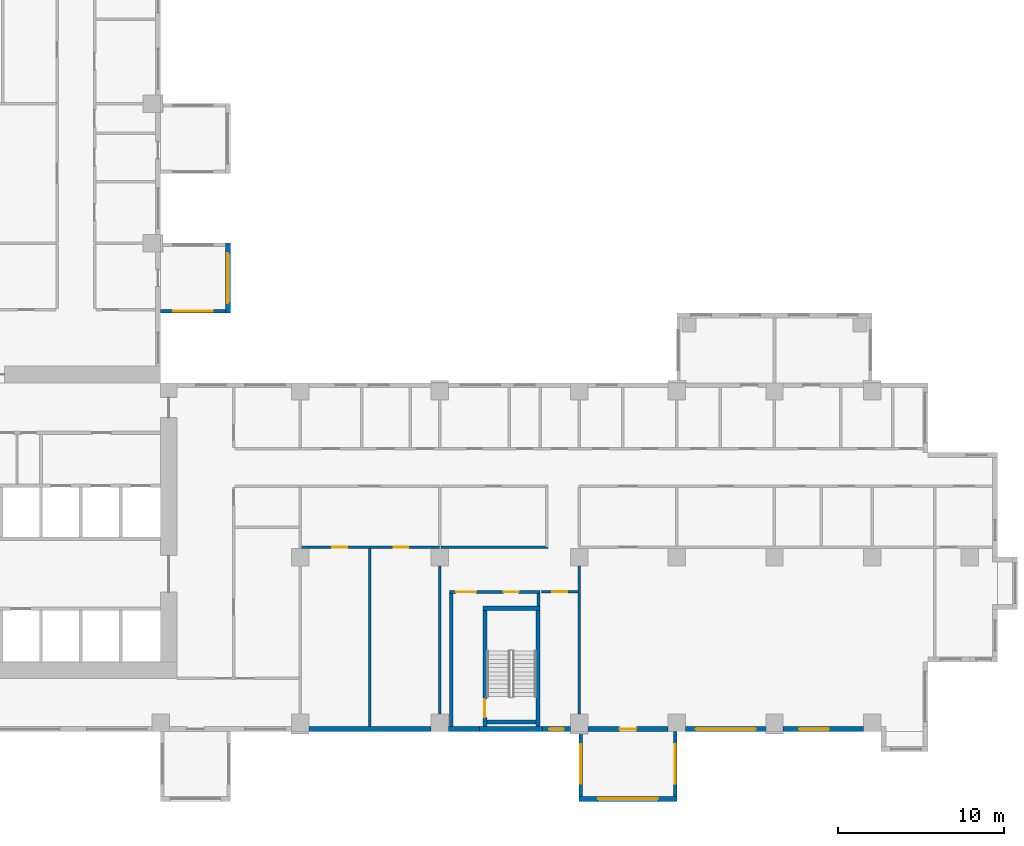
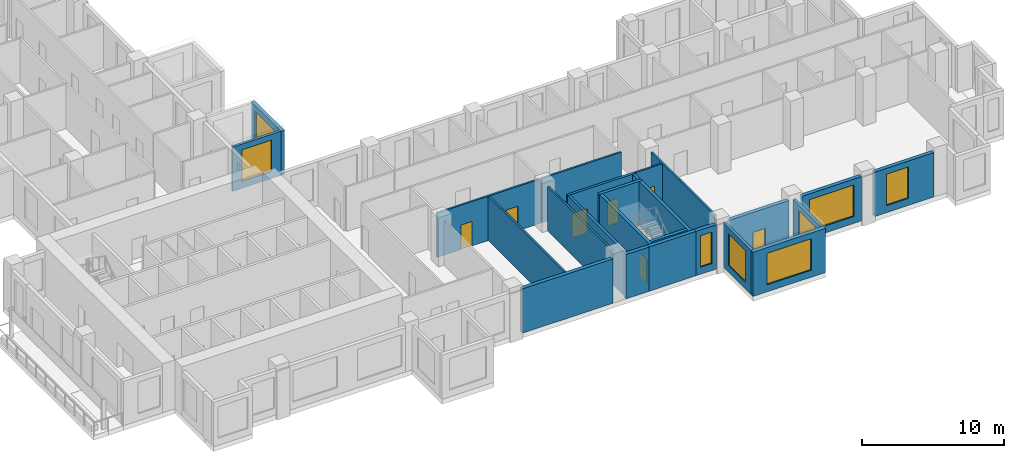
# One storey, part 4 of 14: 25 walls, 8 windows, 7 doors, 15 openings.
"""IFC4 building model written with IfcOpenShell, lengths in metres."""

from ifc_helpers import new_model, si_unit, direction, frame, frame_2d, origin, place, context, subcontext, project, spatial, rectangle, extrude, source, transform, mapped, material, layer, layer_set, type_object, element, fill, save


model = new_model("IFC4")

# Units and contexts
model_context = context("Model", 3, precision=1e-05, world=origin(), true_north=direction((0.0, 1.0)))
body_context = subcontext(model_context, "Body", "Model", "MODEL_VIEW")
ifc_project = project(units=[si_unit("LENGTHUNIT", "METRE"), si_unit("AREAUNIT", "SQUARE_METRE"), si_unit("VOLUMEUNIT", "CUBIC_METRE"), si_unit("PLANEANGLEUNIT", "RADIAN"), si_unit("MASSUNIT", "GRAM", prefix="KILO")], contexts=[model_context])

# Site, building, storey
site_placement = place(None, origin())
site = spatial("IfcSite", under=ifc_project, at=site_placement, CompositionType="ELEMENT")
building_placement = place(site_placement, origin())
building = spatial("IfcBuilding", under=site, at=building_placement, Name="Aurelian Terraces", CompositionType="ELEMENT")
storey_placement = place(building_placement, frame((0.0, 0.0, 111.9)))
storey = spatial("IfcBuildingStorey", under=building, at=storey_placement, Name="L24", CompositionType="ELEMENT", Elevation=111.9)

# Wall
ifc_material_1 = material(Name="Concrete fc' 40 MPa", Category="concrete")
ifc_layer_1 = layer(ifc_material_1, 0.3)
ifc_layer_set_1 = layer_set([ifc_layer_1], Name="STAIR BAY WALL 300")
wall_type_1 = type_object("IfcWallType", Name="STAIR BAY WALL 300", PredefinedType="SOLIDWALL", material=ifc_layer_set_1)
shared_shape_1 = source(origin(), body_context, "Body", "SweptSolid", [
    extrude(rectangle(XDim=3.8, YDim=0.3, at=frame_2d((1.9, 0.0))), origin(), (0.0, 0.0, 1.0), 3.8),
])
wall_1_placement = place(storey_placement, frame((40.2, 0.15, 0.0), z_axis=(0.0, 0.0, 1.0), x_axis=(1.0, 0.0, 0.0)))
element("IfcWall", 1, at=wall_1_placement, inside=storey, type_object=wall_type_1, Name="Stair bay wall L24 F01.6", PredefinedType="SOLIDWALL", context=body_context, shape_type="MappedRepresentation", body=[
    mapped(shared_shape_1, transform((0.0, 0.0, 0.0), scale=1.0)),
])

# Wall, opening, window
ifc_layer_2 = layer(ifc_material_1, 0.2)
ifc_layer_set_2 = layer_set([ifc_layer_2], Name="BOX BEARING WALL 200")
wall_type_2 = type_object("IfcWallType", Name="BOX BEARING WALL 200", PredefinedType="SOLIDWALL", material=ifc_layer_set_2)
shared_shape_2 = source(origin(), body_context, "Body", "SweptSolid", [
    extrude(rectangle(XDim=3.9, YDim=0.2, at=frame_2d((1.95, 0.0))), origin(), (0.0, 0.0, 1.0), 3.8),
])
wall_2_placement = place(storey_placement, frame((46.3, 0.0, 0.0), z_axis=(0.0, 0.0, 1.0), x_axis=(0.0, -1.0, 0.0)))
wall_2 = element("IfcWall", 2, at=wall_2_placement, inside=storey, type_object=wall_type_2, Name="Box return L24 J31.1", PredefinedType="SOLIDWALL", context=body_context, shape_type="MappedRepresentation", body=[
    mapped(shared_shape_2, transform((0.0, 0.0, 0.0), scale=1.0)),
])
shared_shape_3 = source(origin(), body_context, "Body", "SweptSolid", [
    extrude(rectangle(XDim=2.4, YDim=2.7, at=frame_2d((1.2, 1.35))), frame((0.0, 0.11, 0.0), z_axis=(0.0, -1.0, 0.0), x_axis=(1.0, 0.0, 0.0)), (0.0, 0.0, 1.0), 0.22),
])
opening_1_placement = place(wall_2_placement, frame((0.75, 0.0, 0.6)))
opening_1 = element("IfcOpeningElement", 3, at=opening_1_placement, cuts=wall_2, Name="Opening W2427", PredefinedType="OPENING", context=body_context, shape_type="MappedRepresentation", body=[
    mapped(shared_shape_3, transform((0.0, 0.0, 0.0), scale=1.0)),
])
ifc_material_2 = material(Name="Clear glazing", Category="glass")
window_type_1 = type_object("IfcWindowType", Name="W-2400x2700", PartitioningType="SINGLE_PANEL", PredefinedType="WINDOW", material=ifc_material_2)
shared_shape_4 = source(origin(), body_context, "Body", "SweptSolid", [
    extrude(rectangle(XDim=2.4, YDim=2.7, at=frame_2d((1.2, 1.35))), frame((0.0, 0.03, 0.0), z_axis=(0.0, -1.0, 0.0), x_axis=(1.0, 0.0, 0.0)), (0.0, 0.0, 1.0), 0.06),
])
window_1_placement = place(opening_1_placement, origin())
window_1 = element("IfcWindow", 4, at=window_1_placement, inside=storey, type_object=window_type_1, Name="Window L24 J31-S1", OverallHeight=2.7, OverallWidth=2.4, PartitioningType="SINGLE_PANEL", PredefinedType="WINDOW", context=body_context, shape_type="MappedRepresentation", body=[
    mapped(shared_shape_4, transform((0.0, 0.0, 0.0), scale=1.0)),
])
fill(opening_1, window_1)

wall_3_placement = place(storey_placement, frame((51.98, 0.0, 0.0), z_axis=(0.0, 0.0, 1.0), x_axis=(0.0, -1.0, 0.0)))
wall_3 = element("IfcWall", 5, at=wall_3_placement, inside=storey, type_object=wall_type_2, Name="Box return L24 J31.2", PredefinedType="SOLIDWALL", context=body_context, shape_type="MappedRepresentation", body=[
    mapped(shared_shape_2, transform((0.0, 0.0, 0.0), scale=1.0)),
])
opening_2_placement = place(wall_3_placement, frame((0.75, 0.0, 0.6)))
opening_2 = element("IfcOpeningElement", 6, at=opening_2_placement, cuts=wall_3, Name="Opening W2427", PredefinedType="OPENING", context=body_context, shape_type="MappedRepresentation", body=[
    mapped(shared_shape_3, transform((0.0, 0.0, 0.0), scale=1.0)),
])
window_2_placement = place(opening_2_placement, origin())
window_2 = element("IfcWindow", 7, at=window_2_placement, inside=storey, type_object=window_type_1, Name="Window L24 J31-S2", OverallHeight=2.7, OverallWidth=2.4, PartitioningType="SINGLE_PANEL", PredefinedType="WINDOW", context=body_context, shape_type="MappedRepresentation", body=[
    mapped(shared_shape_4, transform((0.0, 0.0, 0.0), scale=1.0)),
])
fill(opening_2, window_2)

wall_4_placement = place(storey_placement, frame((21.0, 25.3, 0.0), z_axis=(0.0, 0.0, 1.0), x_axis=(1.0, 0.0, 0.0)))
wall_4 = element("IfcWall", 8, at=wall_4_placement, inside=storey, type_object=wall_type_2, Name="Box return L24 J32.1", PredefinedType="SOLIDWALL", context=body_context, shape_type="MappedRepresentation", body=[
    mapped(shared_shape_2, transform((0.0, 0.0, 0.0), scale=1.0)),
])
opening_3_placement = place(wall_4_placement, frame((0.75, 0.0, 0.6)))
opening_3 = element("IfcOpeningElement", 9, at=opening_3_placement, cuts=wall_4, Name="Opening W2427", PredefinedType="OPENING", context=body_context, shape_type="MappedRepresentation", body=[
    mapped(shared_shape_3, transform((0.0, 0.0, 0.0), scale=1.0)),
])
window_3_placement = place(opening_3_placement, origin())
window_3 = element("IfcWindow", 10, at=window_3_placement, inside=storey, type_object=window_type_1, Name="Window L24 J32-S1", OverallHeight=2.7, OverallWidth=2.4, PartitioningType="SINGLE_PANEL", PredefinedType="WINDOW", context=body_context, shape_type="MappedRepresentation", body=[
    mapped(shared_shape_4, transform((0.0, 0.0, 0.0), scale=1.0)),
])
fill(opening_3, window_3)

ifc_layer_3 = layer(ifc_material_1, 0.3)
ifc_layer_set_3 = layer_set([ifc_layer_3], Name="BOX BEARING WALL 300")
wall_type_3 = type_object("IfcWallType", Name="BOX BEARING WALL 300", PredefinedType="SOLIDWALL", material=ifc_layer_set_3)
shared_shape_5 = source(origin(), body_context, "Body", "SweptSolid", [
    extrude(rectangle(XDim=5.88, YDim=0.3, at=frame_2d((2.94, 0.0))), origin(), (0.0, 0.0, 1.0), 3.8),
])
wall_5_placement = place(storey_placement, frame((46.2, -4.05, 0.0), z_axis=(0.0, 0.0, 1.0), x_axis=(1.0, 0.0, 0.0)))
wall_5 = element("IfcWall", 11, at=wall_5_placement, inside=storey, type_object=wall_type_3, Name="Box wall L24 J31", PredefinedType="SOLIDWALL", context=body_context, shape_type="MappedRepresentation", body=[
    mapped(shared_shape_5, transform((0.0, 0.0, 0.0), scale=1.0)),
])
shared_shape_6 = source(origin(), body_context, "Body", "SweptSolid", [
    extrude(rectangle(XDim=3.6, YDim=2.7, at=frame_2d((1.8, 1.35))), frame((0.0, 0.16, 0.0), z_axis=(0.0, -1.0, 0.0), x_axis=(1.0, 0.0, 0.0)), (0.0, 0.0, 1.0), 0.32),
])
opening_4_placement = place(wall_5_placement, frame((1.14, 0.0, 0.6)))
opening_4 = element("IfcOpeningElement", 12, at=opening_4_placement, cuts=wall_5, Name="Opening W3627", PredefinedType="OPENING", context=body_context, shape_type="MappedRepresentation", body=[
    mapped(shared_shape_6, transform((0.0, 0.0, 0.0), scale=1.0)),
])
window_type_2 = type_object("IfcWindowType", Name="W-3600x2700", PartitioningType="SINGLE_PANEL", PredefinedType="WINDOW", material=ifc_material_2)
shared_shape_7 = source(origin(), body_context, "Body", "SweptSolid", [
    extrude(rectangle(XDim=3.6, YDim=2.7, at=frame_2d((1.8, 1.35))), frame((0.0, 0.03, 0.0), z_axis=(0.0, -1.0, 0.0), x_axis=(1.0, 0.0, 0.0)), (0.0, 0.0, 1.0), 0.06),
])
window_4_placement = place(opening_4_placement, origin())
window_4 = element("IfcWindow", 13, at=window_4_placement, inside=storey, type_object=window_type_2, Name="Window L24 J31-F1", OverallHeight=2.7, OverallWidth=3.6, PartitioningType="SINGLE_PANEL", PredefinedType="WINDOW", context=body_context, shape_type="MappedRepresentation", body=[
    mapped(shared_shape_7, transform((0.0, 0.0, 0.0), scale=1.0)),
])
fill(opening_4, window_4)

shared_shape_8 = source(origin(), body_context, "Body", "SweptSolid", [
    extrude(rectangle(XDim=4.2, YDim=0.3, at=frame_2d((2.1, 0.0))), origin(), (0.0, 0.0, 1.0), 3.8),
])
wall_6_placement = place(storey_placement, frame((25.05, 25.2, 0.0), z_axis=(0.0, 0.0, 1.0), x_axis=(0.0, 1.0, 0.0)))
wall_6 = element("IfcWall", 14, at=wall_6_placement, inside=storey, type_object=wall_type_3, Name="Box wall L24 J32", PredefinedType="SOLIDWALL", context=body_context, shape_type="MappedRepresentation", body=[
    mapped(shared_shape_8, transform((0.0, 0.0, 0.0), scale=1.0)),
])
shared_shape_9 = source(origin(), body_context, "Body", "SweptSolid", [
    extrude(rectangle(XDim=3.0, YDim=2.7, at=frame_2d((1.5, 1.35))), frame((0.0, 0.16, 0.0), z_axis=(0.0, -1.0, 0.0), x_axis=(1.0, 0.0, 0.0)), (0.0, 0.0, 1.0), 0.32),
])
opening_5_placement = place(wall_6_placement, frame((0.6, 0.0, 0.6)))
opening_5 = element("IfcOpeningElement", 15, at=opening_5_placement, cuts=wall_6, Name="Opening W3027", PredefinedType="OPENING", context=body_context, shape_type="MappedRepresentation", body=[
    mapped(shared_shape_9, transform((0.0, 0.0, 0.0), scale=1.0)),
])
window_type_3 = type_object("IfcWindowType", Name="W-3000x2700", PartitioningType="SINGLE_PANEL", PredefinedType="WINDOW", material=ifc_material_2)
shared_shape_10 = source(origin(), body_context, "Body", "SweptSolid", [
    extrude(rectangle(XDim=3.0, YDim=2.7, at=frame_2d((1.5, 1.35))), frame((0.0, 0.03, 0.0), z_axis=(0.0, -1.0, 0.0), x_axis=(1.0, 0.0, 0.0)), (0.0, 0.0, 1.0), 0.06),
])
window_5_placement = place(opening_5_placement, origin())
window_5 = element("IfcWindow", 16, at=window_5_placement, inside=storey, type_object=window_type_3, Name="Window L24 J32-F1", OverallHeight=2.7, OverallWidth=3.0, PartitioningType="SINGLE_PANEL", PredefinedType="WINDOW", context=body_context, shape_type="MappedRepresentation", body=[
    mapped(shared_shape_10, transform((0.0, 0.0, 0.0), scale=1.0)),
])
fill(opening_5, window_5)

# Wall
ifc_material_3 = material(Name="Terracotta rainscreen cladding", Category="masonry")
ifc_layer_4 = layer(ifc_material_3, 0.3)
ifc_layer_set_4 = layer_set([ifc_layer_4], Name="EW-300")
wall_type_4 = type_object("IfcWallType", Name="EW-300", PredefinedType="STANDARD", material=ifc_layer_set_4)
shared_shape_11 = source(origin(), body_context, "Body", "SweptSolid", [
    extrude(rectangle(XDim=7.35, YDim=0.3, at=frame_2d((3.675, 0.0))), origin(), (0.0, 0.0, 1.0), 3.8),
])
wall_7_placement = place(storey_placement, frame((29.925, 0.15, 0.0), z_axis=(0.0, 0.0, 1.0), x_axis=(1.0, 0.0, 0.0)))
element("IfcWall", 17, at=wall_7_placement, inside=storey, type_object=wall_type_4, Name="External wall L24 F01.5", PredefinedType="STANDARD", context=body_context, shape_type="MappedRepresentation", body=[
    mapped(shared_shape_11, transform((0.0, 0.0, 0.0), scale=1.0)),
])

# Wall, opening, door
shared_shape_12 = source(origin(), body_context, "Body", "SweptSolid", [
    extrude(rectangle(XDim=4.83, YDim=0.3, at=frame_2d((2.415, 0.0))), origin(), (0.0, 0.0, 1.0), 3.8),
])
wall_8_placement = place(storey_placement, frame((46.725, 0.15, 0.0), z_axis=(0.0, 0.0, 1.0), x_axis=(1.0, 0.0, 0.0)))
wall_8 = element("IfcWall", 18, at=wall_8_placement, inside=storey, type_object=wall_type_4, Name="External wall L24 F01.7", PredefinedType="STANDARD", context=body_context, shape_type="MappedRepresentation", body=[
    mapped(shared_shape_12, transform((0.0, 0.0, 0.0), scale=1.0)),
])
shared_shape_13 = source(origin(), body_context, "Body", "SweptSolid", [
    extrude(rectangle(XDim=1.0, YDim=2.1, at=frame_2d((0.5, 1.05))), frame((0.0, 0.16, 0.0), z_axis=(0.0, -1.0, 0.0), x_axis=(1.0, 0.0, 0.0)), (0.0, 0.0, 1.0), 0.32),
])
opening_6_placement = place(wall_8_placement, frame((1.915, 0.0, 0.0)))
opening_6 = element("IfcOpeningElement", 19, at=opening_6_placement, cuts=wall_8, Name="Opening 824001", PredefinedType="OPENING", context=body_context, shape_type="MappedRepresentation", body=[
    mapped(shared_shape_13, transform((0.0, 0.0, 0.0), scale=1.0)),
])
ifc_material_4 = material(Name="Timber door leaf", Category="wood")
door_type_1 = type_object("IfcDoorType", Name="Room door 1000x2100 left", OperationType="SINGLE_SWING_LEFT", PredefinedType="DOOR", material=ifc_material_4)
shared_shape_14 = source(origin(), body_context, "Body", "SweptSolid", [
    extrude(rectangle(XDim=1.0, YDim=2.1, at=frame_2d((0.5, 1.05))), frame((0.0, 0.025, 0.0), z_axis=(0.0, -1.0, 0.0), x_axis=(1.0, 0.0, 0.0)), (0.0, 0.0, 1.0), 0.05),
])
door_1_placement = place(opening_6_placement, origin())
door_1 = element("IfcDoor", 20, at=door_1_placement, inside=storey, type_object=door_type_1, Name="Door 824001", OperationType="SINGLE_SWING_LEFT", OverallHeight=2.1, OverallWidth=1.0, PredefinedType="DOOR", context=body_context, shape_type="MappedRepresentation", body=[
    mapped(shared_shape_14, transform((0.0, 0.0, 0.0), scale=1.0)),
])
fill(opening_6, door_1)

# Wall, opening, window
wall_9_placement = place(storey_placement, frame((52.605, 0.15, 0.0), z_axis=(0.0, 0.0, 1.0), x_axis=(1.0, 0.0, 0.0)))
wall_9 = element("IfcWall", 21, at=wall_9_placement, inside=storey, type_object=wall_type_4, Name="External wall L24 F01.8", PredefinedType="STANDARD", context=body_context, shape_type="MappedRepresentation", body=[
    mapped(shared_shape_12, transform((0.0, 0.0, 0.0), scale=1.0)),
])
opening_7_placement = place(wall_9_placement, frame((0.615, 0.0, 0.6)))
opening_7 = element("IfcOpeningElement", 22, at=opening_7_placement, cuts=wall_9, Name="Opening W3627", PredefinedType="OPENING", context=body_context, shape_type="MappedRepresentation", body=[
    mapped(shared_shape_6, transform((0.0, 0.0, 0.0), scale=1.0)),
])
window_6_placement = place(opening_7_placement, origin())
window_6 = element("IfcWindow", 23, at=window_6_placement, inside=storey, type_object=window_type_2, Name="Window L24 L24-F01-08-0", OverallHeight=2.7, OverallWidth=3.6, PartitioningType="SINGLE_PANEL", PredefinedType="WINDOW", context=body_context, shape_type="MappedRepresentation", body=[
    mapped(shared_shape_7, transform((0.0, 0.0, 0.0), scale=1.0)),
])
fill(opening_7, window_6)

wall_10_placement = place(storey_placement, frame((58.485, 0.15, 0.0), z_axis=(0.0, 0.0, 1.0), x_axis=(1.0, 0.0, 0.0)))
wall_10 = element("IfcWall", 24, at=wall_10_placement, inside=storey, type_object=wall_type_4, Name="External wall L24 F01.9", PredefinedType="STANDARD", context=body_context, shape_type="MappedRepresentation", body=[
    mapped(shared_shape_12, transform((0.0, 0.0, 0.0), scale=1.0)),
])
shared_shape_15 = source(origin(), body_context, "Body", "SweptSolid", [
    extrude(rectangle(XDim=1.8, YDim=2.7, at=frame_2d((0.9, 1.35))), frame((0.0, 0.16, 0.0), z_axis=(0.0, -1.0, 0.0), x_axis=(1.0, 0.0, 0.0)), (0.0, 0.0, 1.0), 0.32),
])
opening_8_placement = place(wall_10_placement, frame((0.9525, 0.0, 0.6)))
opening_8 = element("IfcOpeningElement", 25, at=opening_8_placement, cuts=wall_10, Name="Opening W1827", PredefinedType="OPENING", context=body_context, shape_type="MappedRepresentation", body=[
    mapped(shared_shape_15, transform((0.0, 0.0, 0.0), scale=1.0)),
])
window_type_4 = type_object("IfcWindowType", Name="W-1800x2700", PartitioningType="SINGLE_PANEL", PredefinedType="WINDOW", material=ifc_material_2)
shared_shape_16 = source(origin(), body_context, "Body", "SweptSolid", [
    extrude(rectangle(XDim=1.8, YDim=2.7, at=frame_2d((0.9, 1.35))), frame((0.0, 0.03, 0.0), z_axis=(0.0, -1.0, 0.0), x_axis=(1.0, 0.0, 0.0)), (0.0, 0.0, 1.0), 0.06),
])
window_7_placement = place(opening_8_placement, origin())
window_7 = element("IfcWindow", 26, at=window_7_placement, inside=storey, type_object=window_type_4, Name="Window L24 L24-F01-09-0", OverallHeight=2.7, OverallWidth=1.8, PartitioningType="SINGLE_PANEL", PredefinedType="WINDOW", context=body_context, shape_type="MappedRepresentation", body=[
    mapped(shared_shape_16, transform((0.0, 0.0, 0.0), scale=1.0)),
])
fill(opening_8, window_7)

shared_shape_17 = source(origin(), body_context, "Body", "SweptSolid", [
    extrude(rectangle(XDim=1.675, YDim=0.3, at=frame_2d((0.8375, 0.0))), origin(), (0.0, 0.0, 1.0), 3.8),
])
wall_11_placement = place(storey_placement, frame((44.0, 0.15, 0.0), z_axis=(0.0, 0.0, 1.0), x_axis=(1.0, 0.0, 0.0)))
wall_11 = element("IfcWall", 27, at=wall_11_placement, inside=storey, type_object=wall_type_4, Name="External wall L24 F01.6", PredefinedType="STANDARD", context=body_context, shape_type="MappedRepresentation", body=[
    mapped(shared_shape_17, transform((0.0, 0.0, 0.0), scale=1.0)),
])
shared_shape_18 = source(origin(), body_context, "Body", "SweptSolid", [
    extrude(rectangle(XDim=0.9, YDim=2.7, at=frame_2d((0.45, 1.35))), frame((0.0, 0.16, 0.0), z_axis=(0.0, -1.0, 0.0), x_axis=(1.0, 0.0, 0.0)), (0.0, 0.0, 1.0), 0.32),
])
opening_9_placement = place(wall_11_placement, frame((0.3875, 0.0, 0.6)))
opening_9 = element("IfcOpeningElement", 28, at=opening_9_placement, cuts=wall_11, Name="Opening W0927", PredefinedType="OPENING", context=body_context, shape_type="MappedRepresentation", body=[
    mapped(shared_shape_18, transform((0.0, 0.0, 0.0), scale=1.0)),
])
window_type_5 = type_object("IfcWindowType", Name="W-900x2700", PartitioningType="SINGLE_PANEL", PredefinedType="WINDOW", material=ifc_material_2)
shared_shape_19 = source(origin(), body_context, "Body", "SweptSolid", [
    extrude(rectangle(XDim=0.9, YDim=2.7, at=frame_2d((0.45, 1.35))), frame((0.0, 0.03, 0.0), z_axis=(0.0, -1.0, 0.0), x_axis=(1.0, 0.0, 0.0)), (0.0, 0.0, 1.0), 0.06),
])
window_8_placement = place(opening_9_placement, origin())
window_8 = element("IfcWindow", 29, at=window_8_placement, inside=storey, type_object=window_type_5, Name="Window L24 L24-F01-06-P2", OverallHeight=2.7, OverallWidth=0.9, PartitioningType="SINGLE_PANEL", PredefinedType="WINDOW", context=body_context, shape_type="MappedRepresentation", body=[
    mapped(shared_shape_19, transform((0.0, 0.0, 0.0), scale=1.0)),
])
fill(opening_9, window_8)

# Wall
shared_shape_20 = source(origin(), body_context, "Body", "SweptSolid", [
    extrude(rectangle(XDim=1.875, YDim=0.3, at=frame_2d((0.9375, 0.0))), origin(), (0.0, 0.0, 1.0), 3.8),
])
wall_12_placement = place(storey_placement, frame((38.325, 0.15, 0.0), z_axis=(0.0, 0.0, 1.0), x_axis=(1.0, 0.0, 0.0)))
element("IfcWall", 30, at=wall_12_placement, inside=storey, type_object=wall_type_4, Name="External wall L24 F01.6", PredefinedType="STANDARD", context=body_context, shape_type="MappedRepresentation", body=[
    mapped(shared_shape_20, transform((0.0, 0.0, 0.0), scale=1.0)),
])

# Wall, opening, door
ifc_layer_5 = layer(ifc_material_1, 0.25)
ifc_layer_set_5 = layer_set([ifc_layer_5], Name="Stair enclosure wall 250")
wall_type_5 = type_object("IfcWallType", Name="Stair enclosure wall 250", PredefinedType="SOLIDWALL", material=ifc_layer_set_5)
shared_shape_21 = source(origin(), body_context, "Body", "SweptSolid", [
    extrude(rectangle(XDim=7.0, YDim=0.25, at=frame_2d((3.5, 0.0))), origin(), (0.0, 0.0, 1.0), 3.8),
])
wall_13_placement = place(storey_placement, frame((40.525, 0.3, 0.0), z_axis=(0.0, 0.0, 1.0), x_axis=(0.0, 1.0, 0.0)))
wall_13 = element("IfcWall", 31, at=wall_13_placement, inside=storey, type_object=wall_type_5, Name="L24 core wall ST-S2-W", PredefinedType="SOLIDWALL", context=body_context, shape_type="MappedRepresentation", body=[
    mapped(shared_shape_21, transform((0.0, 0.0, 0.0), scale=1.0)),
])
shared_shape_22 = source(origin(), body_context, "Body", "SweptSolid", [
    extrude(rectangle(XDim=1.1, YDim=2.1, at=frame_2d((0.55, 1.05))), frame((0.0, 0.135, 0.0), z_axis=(0.0, -1.0, 0.0), x_axis=(1.0, 0.0, 0.0)), (0.0, 0.0, 1.0), 0.27),
])
opening_10_placement = place(wall_13_placement, frame((0.55, 0.0, 0.0)))
opening_10 = element("IfcOpeningElement", 32, at=opening_10_placement, cuts=wall_13, Name="Opening 62715", PredefinedType="OPENING", context=body_context, shape_type="MappedRepresentation", body=[
    mapped(shared_shape_22, transform((0.0, 0.0, 0.0), scale=1.0)),
])
ifc_material_5 = material(Name="Steel door leaf", Category="steel")
door_type_2 = type_object("IfcDoorType", Name="Core fire door 1100x2100", OperationType="SINGLE_SWING_LEFT", PredefinedType="DOOR", material=ifc_material_5)
shared_shape_23 = source(origin(), body_context, "Body", "SweptSolid", [
    extrude(rectangle(XDim=1.1, YDim=2.1, at=frame_2d((0.55, 1.05))), frame((0.0, 0.025, 0.0), z_axis=(0.0, -1.0, 0.0), x_axis=(1.0, 0.0, 0.0)), (0.0, 0.0, 1.0), 0.05),
])
door_2_placement = place(opening_10_placement, origin())
door_2 = element("IfcDoor", 33, at=door_2_placement, inside=storey, type_object=door_type_2, Name="Stair door 62715", OperationType="SINGLE_SWING_LEFT", OverallHeight=2.1, OverallWidth=1.1, PredefinedType="DOOR", context=body_context, shape_type="MappedRepresentation", body=[
    mapped(shared_shape_23, transform((0.0, 0.0, 0.0), scale=1.0)),
])
fill(opening_10, door_2)

# Walls
wall_14_placement = place(storey_placement, frame((43.725, 0.3, 0.0), z_axis=(0.0, 0.0, 1.0), x_axis=(0.0, 1.0, 0.0)))
element("IfcWall", 34, at=wall_14_placement, inside=storey, type_object=wall_type_5, Name="L24 core wall ST-S2-E", PredefinedType="SOLIDWALL", context=body_context, shape_type="MappedRepresentation", body=[
    mapped(shared_shape_21, transform((0.0, 0.0, 0.0), scale=1.0)),
])
shared_shape_24 = source(origin(), body_context, "Body", "SweptSolid", [
    extrude(rectangle(XDim=3.45, YDim=0.25, at=frame_2d((1.725, 0.0))), origin(), (0.0, 0.0, 1.0), 3.8),
])
wall_15_placement = place(storey_placement, frame((40.4, 7.425, 0.0), z_axis=(0.0, 0.0, 1.0), x_axis=(1.0, 0.0, 0.0)))
element("IfcWall", 35, at=wall_15_placement, inside=storey, type_object=wall_type_5, Name="L24 core wall ST-S2-N", PredefinedType="SOLIDWALL", context=body_context, shape_type="MappedRepresentation", body=[
    mapped(shared_shape_24, transform((0.0, 0.0, 0.0), scale=1.0)),
])
shared_shape_25 = source(origin(), body_context, "Body", "SweptSolid", [
    extrude(rectangle(XDim=2.95, YDim=0.25, at=frame_2d((1.475, 0.0))), origin(), (0.0, 0.0, 1.0), 3.8),
])
wall_16_placement = place(storey_placement, frame((40.65, 0.575, 0.0), z_axis=(0.0, 0.0, 1.0), x_axis=(1.0, 0.0, 0.0)))
element("IfcWall", 36, at=wall_16_placement, inside=storey, type_object=wall_type_5, Name="L24 core wall ST-S2-SS", PredefinedType="SOLIDWALL", context=body_context, shape_type="MappedRepresentation", body=[
    mapped(shared_shape_25, transform((0.0, 0.0, 0.0), scale=1.0)),
])
ifc_material_6 = material(Name="Gypsum board on steel studs", Category="steel")
ifc_layer_6 = layer(ifc_material_6, 0.2)
ifc_layer_set_6 = layer_set([ifc_layer_6], Name="Core partition 200")
wall_type_6 = type_object("IfcWallType", Name="Core partition 200", PredefinedType="PARTITIONING", material=ifc_layer_set_6)
shared_shape_26 = source(origin(), body_context, "Body", "SweptSolid", [
    extrude(rectangle(XDim=8.0, YDim=0.2, at=frame_2d((4.0, 0.0))), origin(), (0.0, 0.0, 1.0), 3.8),
])
wall_17_placement = place(storey_placement, frame((38.5, 0.3, 0.0), z_axis=(0.0, 0.0, 1.0), x_axis=(0.0, 1.0, 0.0)))
element("IfcWall", 37, at=wall_17_placement, inside=storey, type_object=wall_type_6, Name="L24 core wall ST-S2-VW", PredefinedType="PARTITIONING", context=body_context, shape_type="MappedRepresentation", body=[
    mapped(shared_shape_26, transform((0.0, 0.0, 0.0), scale=1.0)),
])

# Wall, openings, doors
shared_shape_27 = source(origin(), body_context, "Body", "SweptSolid", [
    extrude(rectangle(XDim=5.45, YDim=0.2, at=frame_2d((2.725, 0.0))), origin(), (0.0, 0.0, 1.0), 3.8),
])
wall_18_placement = place(storey_placement, frame((38.4, 8.4, 0.0), z_axis=(0.0, 0.0, 1.0), x_axis=(1.0, 0.0, 0.0)))
wall_18 = element("IfcWall", 38, at=wall_18_placement, inside=storey, type_object=wall_type_6, Name="L24 core wall ST-S2-BN", PredefinedType="PARTITIONING", context=body_context, shape_type="MappedRepresentation", body=[
    mapped(shared_shape_27, transform((0.0, 0.0, 0.0), scale=1.0)),
])
shared_shape_28 = source(origin(), body_context, "Body", "SweptSolid", [
    extrude(rectangle(XDim=1.2, YDim=2.1, at=frame_2d((0.6, 1.05))), frame((0.0, 0.11, 0.0), z_axis=(0.0, -1.0, 0.0), x_axis=(1.0, 0.0, 0.0)), (0.0, 0.0, 1.0), 0.22),
])
opening_11_placement = place(wall_18_placement, frame((0.4, 0.0, 0.0)))
opening_11 = element("IfcOpeningElement", 39, at=opening_11_placement, cuts=wall_18, Name="Opening 62716", PredefinedType="OPENING", context=body_context, shape_type="MappedRepresentation", body=[
    mapped(shared_shape_28, transform((0.0, 0.0, 0.0), scale=1.0)),
])
shared_shape_29 = source(origin(), body_context, "Body", "SweptSolid", [
    extrude(rectangle(XDim=0.9, YDim=2.1, at=frame_2d((0.45, 1.05))), frame((0.0, 0.11, 0.0), z_axis=(0.0, -1.0, 0.0), x_axis=(1.0, 0.0, 0.0)), (0.0, 0.0, 1.0), 0.22),
])
opening_12_placement = place(wall_18_placement, frame((3.25, 0.0, 0.0)))
opening_12 = element("IfcOpeningElement", 40, at=opening_12_placement, cuts=wall_18, Name="Opening 62717", PredefinedType="OPENING", context=body_context, shape_type="MappedRepresentation", body=[
    mapped(shared_shape_29, transform((0.0, 0.0, 0.0), scale=1.0)),
])
door_type_3 = type_object("IfcDoorType", Name="Core riser door 900x2100", OperationType="SINGLE_SWING_LEFT", PredefinedType="DOOR", material=ifc_material_5)
shared_shape_30 = source(origin(), body_context, "Body", "SweptSolid", [
    extrude(rectangle(XDim=0.9, YDim=2.1, at=frame_2d((0.45, 1.05))), frame((0.0, 0.025, 0.0), z_axis=(0.0, -1.0, 0.0), x_axis=(1.0, 0.0, 0.0)), (0.0, 0.0, 1.0), 0.05),
])
door_3_placement = place(opening_12_placement, origin())
door_3 = element("IfcDoor", 41, at=door_3_placement, inside=storey, type_object=door_type_3, Name="Riser door 62717", OperationType="SINGLE_SWING_LEFT", OverallHeight=2.1, OverallWidth=0.9, PredefinedType="DOOR", context=body_context, shape_type="MappedRepresentation", body=[
    mapped(shared_shape_30, transform((0.0, 0.0, 0.0), scale=1.0)),
])
fill(opening_12, door_3)
door_type_4 = type_object("IfcDoorType", Name="Core fire door 1200x2100 right", OperationType="SINGLE_SWING_RIGHT", PredefinedType="DOOR", material=ifc_material_5)
shared_shape_31 = source(origin(), body_context, "Body", "SweptSolid", [
    extrude(rectangle(XDim=1.2, YDim=2.1, at=frame_2d((0.6, 1.05))), frame((0.0, 0.025, 0.0), z_axis=(0.0, -1.0, 0.0), x_axis=(1.0, 0.0, 0.0)), (0.0, 0.0, 1.0), 0.05),
])
door_4_placement = place(opening_11_placement, origin())
door_4 = element("IfcDoor", 42, at=door_4_placement, inside=storey, type_object=door_type_4, Name="Vestibule door 62716", OperationType="SINGLE_SWING_RIGHT", OverallHeight=2.1, OverallWidth=1.2, PredefinedType="DOOR", context=body_context, shape_type="MappedRepresentation", body=[
    mapped(shared_shape_31, transform((0.0, 0.0, 0.0), scale=1.0)),
])
fill(opening_11, door_4)

# Walls
shared_shape_32 = source(origin(), body_context, "Body", "SweptSolid", [
    extrude(rectangle(XDim=0.75, YDim=0.2, at=frame_2d((0.375, 0.0))), origin(), (0.0, 0.0, 1.0), 3.8),
])
wall_19_placement = place(storey_placement, frame((43.75, 7.55, 0.0), z_axis=(0.0, 0.0, 1.0), x_axis=(0.0, 1.0, 0.0)))
element("IfcWall", 43, at=wall_19_placement, inside=storey, type_object=wall_type_6, Name="L24 core wall ST-S2-RE", PredefinedType="PARTITIONING", context=body_context, shape_type="MappedRepresentation", body=[
    mapped(shared_shape_32, transform((0.0, 0.0, 0.0), scale=1.0)),
])
ifc_layer_7 = layer(ifc_material_6, 0.15)
ifc_layer_set_7 = layer_set([ifc_layer_7], Name="Partition 150")
wall_type_7 = type_object("IfcWallType", Name="Partition 150", PredefinedType="PARTITIONING", material=ifc_layer_set_7)
shared_shape_33 = source(origin(), body_context, "Body", "SweptSolid", [
    extrude(rectangle(XDim=6.45, YDim=0.15, at=frame_2d((3.225, 0.0))), origin(), (0.0, 0.0, 1.0), 3.8),
])
wall_20_placement = place(storey_placement, frame((37.875, 11.1, 0.0), z_axis=(0.0, 0.0, 1.0), x_axis=(1.0, 0.0, 0.0)))
element("IfcWall", 44, at=wall_20_placement, inside=storey, type_object=wall_type_7, Name="Partition", PredefinedType="PARTITIONING", context=body_context, shape_type="MappedRepresentation", body=[
    mapped(shared_shape_33, transform((0.0, 0.0, 0.0), scale=1.0)),
])

# Wall, openings, doors
shared_shape_34 = source(origin(), body_context, "Body", "SweptSolid", [
    extrude(rectangle(XDim=8.4, YDim=0.15, at=frame_2d((4.2, 0.0))), origin(), (0.0, 0.0, 1.0), 3.8),
])
wall_21_placement = place(storey_placement, frame((37.8, 11.1, 0.0), z_axis=(0.0, 0.0, 1.0), x_axis=(-1.0, 0.0, 0.0)))
wall_21 = element("IfcWall", 45, at=wall_21_placement, inside=storey, type_object=wall_type_7, Name="Partition", PredefinedType="PARTITIONING", context=body_context, shape_type="MappedRepresentation", body=[
    mapped(shared_shape_34, transform((0.0, 0.0, 0.0), scale=1.0)),
])
shared_shape_35 = source(origin(), body_context, "Body", "SweptSolid", [
    extrude(rectangle(XDim=0.9, YDim=2.1, at=frame_2d((0.45, 1.05))), frame((0.0, 0.085, 0.0), z_axis=(0.0, -1.0, 0.0), x_axis=(1.0, 0.0, 0.0)), (0.0, 0.0, 1.0), 0.17),
])
opening_13_placement = place(wall_21_placement, frame((5.575, 0.0, 0.0)))
opening_13 = element("IfcOpeningElement", 46, at=opening_13_placement, cuts=wall_21, Name="Opening 724008", PredefinedType="OPENING", context=body_context, shape_type="MappedRepresentation", body=[
    mapped(shared_shape_35, transform((0.0, 0.0, 0.0), scale=1.0)),
])
opening_14_placement = place(wall_21_placement, frame((1.875, 0.0, 0.0)))
opening_14 = element("IfcOpeningElement", 47, at=opening_14_placement, cuts=wall_21, Name="Opening 724009", PredefinedType="OPENING", context=body_context, shape_type="MappedRepresentation", body=[
    mapped(shared_shape_35, transform((0.0, 0.0, 0.0), scale=1.0)),
])
door_type_5 = type_object("IfcDoorType", Name="Room door 900x2100 left", OperationType="SINGLE_SWING_LEFT", PredefinedType="DOOR", material=ifc_material_4)
door_5_placement = place(opening_13_placement, origin())
door_5 = element("IfcDoor", 48, at=door_5_placement, inside=storey, type_object=door_type_5, Name="Door 724008", OperationType="SINGLE_SWING_LEFT", OverallHeight=2.1, OverallWidth=0.9, PredefinedType="DOOR", context=body_context, shape_type="MappedRepresentation", body=[
    mapped(shared_shape_30, transform((0.0, 0.0, 0.0), scale=1.0)),
])
fill(opening_13, door_5)
door_type_6 = type_object("IfcDoorType", Name="Room door 900x2100 right", OperationType="SINGLE_SWING_RIGHT", PredefinedType="DOOR", material=ifc_material_4)
door_6_placement = place(opening_14_placement, origin())
door_6 = element("IfcDoor", 49, at=door_6_placement, inside=storey, type_object=door_type_6, Name="Door 724009", OperationType="SINGLE_SWING_RIGHT", OverallHeight=2.1, OverallWidth=0.9, PredefinedType="DOOR", context=body_context, shape_type="MappedRepresentation", body=[
    mapped(shared_shape_30, transform((0.0, 0.0, 0.0), scale=1.0)),
])
fill(opening_14, door_6)

# Wall, opening, door
shared_shape_36 = source(origin(), body_context, "Body", "SweptSolid", [
    extrude(rectangle(XDim=2.2, YDim=0.15, at=frame_2d((1.1, 0.0))), origin(), (0.0, 0.0, 1.0), 3.8),
])
wall_22_placement = place(storey_placement, frame((46.125, 8.425, 0.0), z_axis=(0.0, 0.0, 1.0), x_axis=(-1.0, 0.0, 0.0)))
wall_22 = element("IfcWall", 50, at=wall_22_placement, inside=storey, type_object=wall_type_7, Name="Partition", PredefinedType="PARTITIONING", context=body_context, shape_type="MappedRepresentation", body=[
    mapped(shared_shape_36, transform((0.0, 0.0, 0.0), scale=1.0)),
])
opening_15_placement = place(wall_22_placement, frame((0.65, 0.0, 0.0)))
opening_15 = element("IfcOpeningElement", 51, at=opening_15_placement, cuts=wall_22, Name="Opening 724006", PredefinedType="OPENING", context=body_context, shape_type="MappedRepresentation", body=[
    mapped(shared_shape_35, transform((0.0, 0.0, 0.0), scale=1.0)),
])
door_7_placement = place(opening_15_placement, origin())
door_7 = element("IfcDoor", 52, at=door_7_placement, inside=storey, type_object=door_type_5, Name="Door 724006", OperationType="SINGLE_SWING_LEFT", OverallHeight=2.1, OverallWidth=0.9, PredefinedType="DOOR", context=body_context, shape_type="MappedRepresentation", body=[
    mapped(shared_shape_30, transform((0.0, 0.0, 0.0), scale=1.0)),
])
fill(opening_15, door_7)

# Walls
shared_shape_37 = source(origin(), body_context, "Body", "SweptSolid", [
    extrude(rectangle(XDim=8.927, YDim=0.15, at=frame_2d((4.4635, 0.0))), origin(), (0.0, 0.0, 1.0), 3.8),
])
for number, where, z_axis, x_axis, name in (
    (53, (37.8, 1.049, 0.0), (0.0, 0.0, 1.0), (0.0, 1.0, 0.0), "Partition"),
    (54, (46.2, 1.049, 0.0), (0.0, 0.0, 1.0), (0.0, 1.0, 0.0), "Partition"),
):
    element("IfcWall", number, at=place(storey_placement, frame(where, z_axis=z_axis, x_axis=x_axis)), inside=storey, type_object=wall_type_7, Name=name, PredefinedType="PARTITIONING", context=body_context, shape_type="MappedRepresentation", body=[
        mapped(shared_shape_37, transform((0.0, 0.0, 0.0), scale=1.0)),
    ])
shared_shape_38 = source(origin(), body_context, "Body", "SweptSolid", [
    extrude(rectangle(XDim=10.725, YDim=0.15, at=frame_2d((5.3625, 0.0))), origin(), (0.0, 0.0, 1.0), 3.8),
])
wall_23_placement = place(storey_placement, frame((33.6, 0.3, 0.0), z_axis=(0.0, 0.0, 1.0), x_axis=(0.0, 1.0, 0.0)))
element("IfcWall", 55, at=wall_23_placement, inside=storey, type_object=wall_type_7, Name="Partition", PredefinedType="PARTITIONING", context=body_context, shape_type="MappedRepresentation", body=[
    mapped(shared_shape_38, transform((0.0, 0.0, 0.0), scale=1.0)),
])

save(model, "model.ifc")
